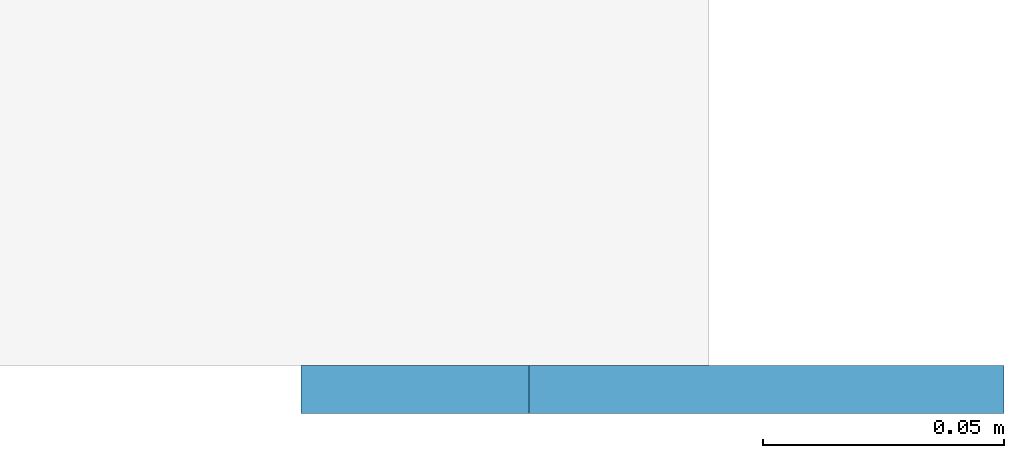
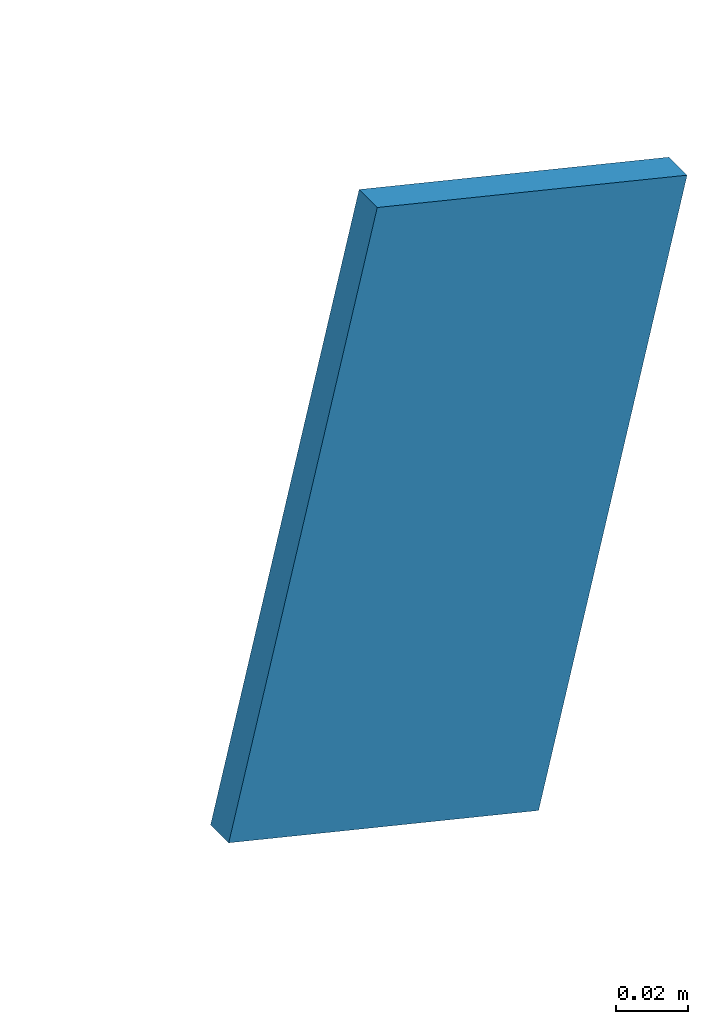
# One storey, part 9 of 13: 1 discrete accessory.
"""IFC4 building model written with IfcOpenShell, lengths in metres."""

import ifcopenshell
import ifcopenshell.guid

model = None  # the IFC model being written
_history = None  # IfcOwnerHistory: only IFC2X3 demands one
_inside = {}  # id of a spatial element -> (the spatial element, [elements in it])
_under = {}  # id of a project, library or spatial element -> (it, [spatial elements below it])
_declared = {}  # id of a project -> (the project, [libraries it declares])
_typed = {}  # id of a type object -> (the type object, [elements of that type])
_made_of = {}  # id of a material, layer set ... -> (it, [elements and type objects made of it])


def new_model(schema):
    """Start an empty IFC model of exactly this schema.

    Asked for "IFC4X3", IfcOpenShell would pick the latest addendum, in which some entities
    have other attributes; the version numbers below select the first issue.
    IFC2X3 requires an IfcOwnerHistory on every rooted entity: one is made here for all.
    """
    global model, _history
    if schema == "IFC4X3":
        model = ifcopenshell.file(schema_version=(4, 3, 0, 0))
    else:
        model = ifcopenshell.file(schema=schema)
    _inside.clear()
    _under.clear()
    _declared.clear()
    _typed.clear()
    _made_of.clear()
    _history = None
    if model.schema == "IFC2X3":
        org = make("IfcOrganization", Name="unknown")
        user = make(
            "IfcPersonAndOrganization",
            ThePerson=make("IfcPerson", FamilyName="unknown"),
            TheOrganization=org,
        )
        app = make(
            "IfcApplication",
            ApplicationDeveloper=org,
            Version="unknown",
            ApplicationFullName="unknown",
            ApplicationIdentifier="unknown",
        )
        _history = make(
            "IfcOwnerHistory",
            OwningUser=user,
            OwningApplication=app,
            ChangeAction="ADDED",
            CreationDate=0,
        )
    return model


def make(cls, **values):
    """One entity of the class cls with the attributes given. An attribute that is None is left unset."""
    return model.create_entity(
        cls, **{name: value for name, value in values.items() if value is not None}
    )


def rooted(cls, **values):
    """An entity with a GlobalId (a new one), such as an element, a storey or a relation."""
    return make(cls, GlobalId=ifcopenshell.guid.new(), OwnerHistory=_history, **values)


def si_unit(unit_type, name, prefix=None):
    """IfcSIUnit, for example si_unit("LENGTHUNIT", "METRE", prefix="MILLI")."""
    return make("IfcSIUnit", UnitType=unit_type, Prefix=prefix, Name=name)


def assignment(units):
    """IfcUnitAssignment: the units of a project."""
    return None if units is None else make("IfcUnitAssignment", Units=units)


def point(xyz):
    """IfcCartesianPoint."""
    return None if xyz is None else make("IfcCartesianPoint", Coordinates=xyz)


def direction(xyz):
    """IfcDirection."""
    return None if xyz is None else make("IfcDirection", DirectionRatios=xyz)


def frame(location, z_axis=None, x_axis=None):
    """IfcAxis2Placement3D, a coordinate frame: its origin and axes. An axis left out is left unset."""
    return make(
        "IfcAxis2Placement3D",
        Location=point(location),
        Axis=direction(z_axis),
        RefDirection=direction(x_axis),
    )


def frame_2d(location, x_axis=None):
    """IfcAxis2Placement2D, a coordinate frame in the plane: its origin and x axis."""
    return make(
        "IfcAxis2Placement2D", Location=point(location), RefDirection=direction(x_axis)
    )


def origin():
    """The frame at (0, 0, 0) with its axes left unset."""
    return frame((0.0, 0.0, 0.0))


def origin_2d():
    """The frame at (0, 0) in the plane with its x axis left unset."""
    return frame_2d((0.0, 0.0))


def place(relative_to, where):
    """IfcLocalPlacement: puts the frame where relative to a parent placement (None: the world)."""
    return make(
        "IfcLocalPlacement", PlacementRelTo=relative_to, RelativePlacement=where
    )


def context(
    kind, dimensions, precision=None, world=None, true_north=None, identifier=None
):
    """IfcGeometricRepresentationContext, for example the 3D "Model" context."""
    return make(
        "IfcGeometricRepresentationContext",
        ContextIdentifier=identifier,
        ContextType=kind,
        CoordinateSpaceDimension=dimensions,
        Precision=precision,
        WorldCoordinateSystem=world,
        TrueNorth=true_north,
    )


def subcontext(parent, identifier, kind, view, scale=None):
    """IfcGeometricRepresentationSubContext, for example "Body" below "Model"."""
    return make(
        "IfcGeometricRepresentationSubContext",
        ContextIdentifier=identifier,
        ContextType=kind,
        ParentContext=parent,
        TargetScale=scale,
        TargetView=view,
    )


def project(units=None, contexts=None):
    """IfcProject with its units and contexts."""
    return rooted(
        "IfcProject",
        Name="project",
        RepresentationContexts=contexts,
        UnitsInContext=assignment(units),
    )


def spatial(cls, under=None, at=None, **own):
    """A site, building, storey or space (cls), placed at a placement, below another one or the project."""
    s = rooted(cls, ObjectPlacement=at, **own)
    if under is not None:
        _under.setdefault(under.id(), (under, []))[1].append(s)
    return s


def profile(cls, at=None, kind="AREA", **sizes):
    """A parametric profile (cls). Its sizes go by their IFC names, for example OverallWidth=200.0."""
    return make(cls, ProfileType=kind, Position=at, **sizes)


def rectangle(**sizes):
    """IfcRectangleProfileDef."""
    return profile("IfcRectangleProfileDef", **sizes)


def extrude(swept, where, along, depth):
    """IfcExtrudedAreaSolid: the profile swept, set in the frame where, extruded along a direction by depth."""
    return make(
        "IfcExtrudedAreaSolid",
        SweptArea=swept,
        Position=where,
        ExtrudedDirection=direction(along),
        Depth=depth,
    )


def shape(context_of_items, identifier, shape_type, items):
    """IfcShapeRepresentation: the items that make up one representation, for example the "Body"."""
    return make(
        "IfcShapeRepresentation",
        ContextOfItems=context_of_items,
        RepresentationIdentifier=identifier,
        RepresentationType=shape_type,
        Items=items,
    )


def material(Name=None, Category=None):
    """IfcMaterial."""
    return make("IfcMaterial", Name=Name, Category=Category)


def material_profile(
    of_material, cross_section, Name=None, Category=None, Priority=None
):
    """IfcMaterialProfile: a cross section and its material."""
    return make(
        "IfcMaterialProfile",
        Name=Name,
        Material=of_material,
        Profile=cross_section,
        Priority=Priority,
        Category=Category,
    )


def profile_set(profiles, Name=None, composite=None):
    """IfcMaterialProfileSet."""
    return make(
        "IfcMaterialProfileSet",
        Name=Name,
        MaterialProfiles=profiles,
        CompositeProfile=composite,
    )


def made_of(thing, what):
    """Note that an element or type object is made of a material, layer set ...; save() writes the relation."""
    if what is not None:
        _made_of.setdefault(what.id(), (what, []))[1].append(thing)
    return thing


def type_object(cls, material=None, **own):
    """A type object (cls), such as IfcWallType, which elements share."""
    return made_of(rooted(cls, **own), material)


def element(
    cls,
    number,
    at=None,
    inside=None,
    cuts=None,
    type_object=None,
    material=None,
    context=None,
    identifier="Body",
    shape_type=None,
    held_by="IfcProductDefinitionShape",
    body=None,
    shapes=None,
    **own,
):
    """One element of the class cls, such as IfcWall. Its Tag is "e" and its number.

    at: its placement. inside: the storey or other place that contains it. cuts: it is an
    opening in that element (IfcRelVoidsElement). A single representation is given by context,
    identifier, shape_type and body (its items); several are given by shapes. held_by: the class
    of the entity that holds the representations. save() writes the other relations.
    """
    e = rooted(cls, Tag="e%d" % number, ObjectPlacement=at, **own)
    if body is not None:
        shapes = [shape(context, identifier, shape_type, body)]
    if shapes is not None:
        e.Representation = make(held_by, Representations=shapes)
    if inside is not None:
        _inside.setdefault(inside.id(), (inside, []))[1].append(e)
    if cuts is not None:
        rooted(
            "IfcRelVoidsElement", RelatingBuildingElement=cuts, RelatedOpeningElement=e
        )
    if type_object is not None:
        _typed.setdefault(type_object.id(), (type_object, []))[1].append(e)
    return made_of(e, material)


def aggregate(whole, parts):
    """IfcRelAggregates: a whole, such as a stair, and the parts it consists of."""
    return rooted("IfcRelAggregates", RelatingObject=whole, RelatedObjects=parts)


def save(model, path):
    """Write the relations noted so far, then the file.

    IfcRelAggregates (storeys below a building ...), IfcRelContainedInSpatialStructure (elements
    in a storey), IfcRelDefinesByType, IfcRelAssociatesMaterial and IfcRelDeclares: one each for
    every whole, place, type object, material and project.
    """
    for whole, parts in _under.values():
        aggregate(whole, parts)
    for where, things in _inside.values():
        rooted(
            "IfcRelContainedInSpatialStructure",
            RelatedElements=things,
            RelatingStructure=where,
        )
    for kind, things in _typed.values():
        rooted("IfcRelDefinesByType", RelatedObjects=things, RelatingType=kind)
    for what, things in _made_of.values():
        rooted("IfcRelAssociatesMaterial", RelatedObjects=things, RelatingMaterial=what)
    for by, libraries in _declared.values():
        rooted("IfcRelDeclares", RelatingContext=by, RelatedDefinitions=libraries)
    model.write(path)


model = new_model("IFC4")

# Units and contexts
model_context = context("Model", 3, precision=1e-05, world=origin(), true_north=direction((0.0, 1.0)))
body_context = subcontext(model_context, "Body", "Model", "MODEL_VIEW")
ifc_project = project(units=[si_unit("LENGTHUNIT", "METRE"), si_unit("AREAUNIT", "SQUARE_METRE"), si_unit("VOLUMEUNIT", "CUBIC_METRE"), si_unit("PLANEANGLEUNIT", "RADIAN"), si_unit("MASSUNIT", "GRAM", prefix="KILO")], contexts=[model_context])

# Site, building, storey
site_placement = place(None, origin())
site = spatial("IfcSite", under=ifc_project, at=site_placement, CompositionType="ELEMENT")
building_placement = place(site_placement, origin())
building = spatial("IfcBuilding", under=site, at=building_placement, Name="Verrick Yard Athletic Hall", CompositionType="ELEMENT")
storey_placement = place(building_placement, frame((0.0, 0.0, 21.5)))
storey = spatial("IfcBuildingStorey", under=building, at=storey_placement, Name="Upper Roof", CompositionType="ELEMENT", Elevation=21.5)

# Discrete accessory
ifc_material = material(Name="Structural steel 350W (CSA G40.21)", Category="steel")
ifc_material_profile = material_profile(ifc_material, rectangle(XDim=0.1015625, YDim=0.203125, at=origin_2d()), Name="STR End cap plate 203x102x9.5")
ifc_profile_set = profile_set([ifc_material_profile], Name="Structural steel 350W (CSA G40.21)")
discrete_accessory_type = type_object("IfcDiscreteAccessoryType", Name="STR End cap plate 203x102x9.5", PredefinedType="BRACKET", material=ifc_profile_set)
discrete_accessory_placement = place(storey_placement, frame((156.70703125, 71.989990234375, 0.151611328125), z_axis=(0.0, 1.0, 0.0), x_axis=(-0.972458956474, 0.0, 0.23307418985)))
element("IfcDiscreteAccessory", 1, at=discrete_accessory_placement, inside=storey, type_object=discrete_accessory_type, Name="End cap HB-PU-A-1-13 A", PredefinedType="BRACKET", context=body_context, shape_type="SweptSolid", body=[
    extrude(rectangle(XDim=0.1015625, YDim=0.203125, at=origin_2d()), origin(), (0.0, 0.0, 1.0), 0.010009765625),
])

save(model, "model.ifc")
